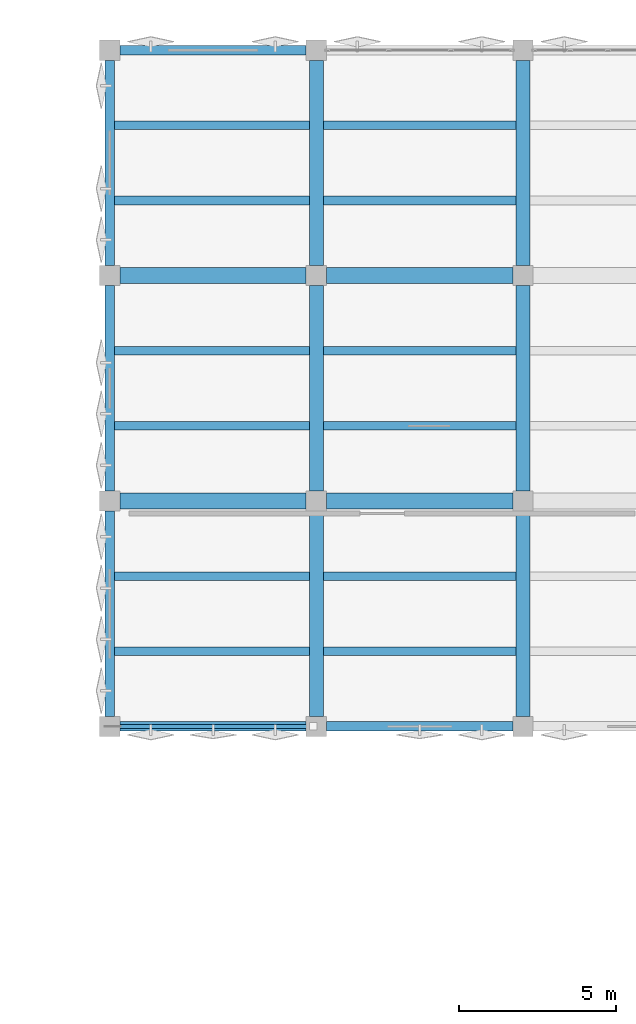
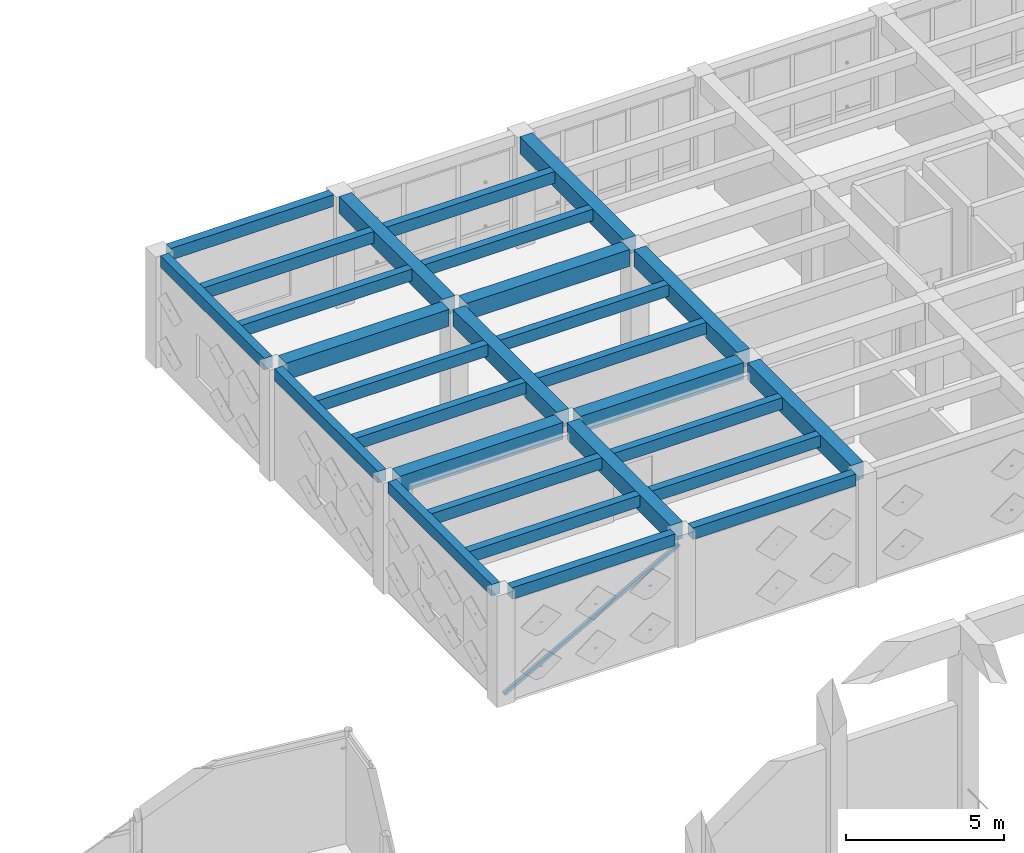
# One storey, part 32 of 67: 28 beams, 1 member.
"""IFC4 building model written with IfcOpenShell, lengths in metres."""

import ifcopenshell
import ifcopenshell.guid

model = None  # the IFC model being written
_history = None  # IfcOwnerHistory: only IFC2X3 demands one
_inside = {}  # id of a spatial element -> (the spatial element, [elements in it])
_under = {}  # id of a project, library or spatial element -> (it, [spatial elements below it])
_declared = {}  # id of a project -> (the project, [libraries it declares])
_typed = {}  # id of a type object -> (the type object, [elements of that type])
_made_of = {}  # id of a material, layer set ... -> (it, [elements and type objects made of it])


def new_model(schema):
    """Start an empty IFC model of exactly this schema.

    Asked for "IFC4X3", IfcOpenShell would pick the latest addendum, in which some entities
    have other attributes; the version numbers below select the first issue.
    IFC2X3 requires an IfcOwnerHistory on every rooted entity: one is made here for all.
    """
    global model, _history
    if schema == "IFC4X3":
        model = ifcopenshell.file(schema_version=(4, 3, 0, 0))
    else:
        model = ifcopenshell.file(schema=schema)
    _inside.clear()
    _under.clear()
    _declared.clear()
    _typed.clear()
    _made_of.clear()
    _history = None
    if model.schema == "IFC2X3":
        org = make("IfcOrganization", Name="unknown")
        user = make(
            "IfcPersonAndOrganization",
            ThePerson=make("IfcPerson", FamilyName="unknown"),
            TheOrganization=org,
        )
        app = make(
            "IfcApplication",
            ApplicationDeveloper=org,
            Version="unknown",
            ApplicationFullName="unknown",
            ApplicationIdentifier="unknown",
        )
        _history = make(
            "IfcOwnerHistory",
            OwningUser=user,
            OwningApplication=app,
            ChangeAction="ADDED",
            CreationDate=0,
        )
    return model


def make(cls, **values):
    """One entity of the class cls with the attributes given. An attribute that is None is left unset."""
    return model.create_entity(
        cls, **{name: value for name, value in values.items() if value is not None}
    )


def rooted(cls, **values):
    """An entity with a GlobalId (a new one), such as an element, a storey or a relation."""
    return make(cls, GlobalId=ifcopenshell.guid.new(), OwnerHistory=_history, **values)


def si_unit(unit_type, name, prefix=None):
    """IfcSIUnit, for example si_unit("LENGTHUNIT", "METRE", prefix="MILLI")."""
    return make("IfcSIUnit", UnitType=unit_type, Prefix=prefix, Name=name)


def assignment(units):
    """IfcUnitAssignment: the units of a project."""
    return None if units is None else make("IfcUnitAssignment", Units=units)


def point(xyz):
    """IfcCartesianPoint."""
    return None if xyz is None else make("IfcCartesianPoint", Coordinates=xyz)


def direction(xyz):
    """IfcDirection."""
    return None if xyz is None else make("IfcDirection", DirectionRatios=xyz)


def frame(location, z_axis=None, x_axis=None):
    """IfcAxis2Placement3D, a coordinate frame: its origin and axes. An axis left out is left unset."""
    return make(
        "IfcAxis2Placement3D",
        Location=point(location),
        Axis=direction(z_axis),
        RefDirection=direction(x_axis),
    )


def frame_2d(location, x_axis=None):
    """IfcAxis2Placement2D, a coordinate frame in the plane: its origin and x axis."""
    return make(
        "IfcAxis2Placement2D", Location=point(location), RefDirection=direction(x_axis)
    )


def origin():
    """The frame at (0, 0, 0) with its axes left unset."""
    return frame((0.0, 0.0, 0.0))


def origin_2d():
    """The frame at (0, 0) in the plane with its x axis left unset."""
    return frame_2d((0.0, 0.0))


def place(relative_to, where):
    """IfcLocalPlacement: puts the frame where relative to a parent placement (None: the world)."""
    return make(
        "IfcLocalPlacement", PlacementRelTo=relative_to, RelativePlacement=where
    )


def context(
    kind, dimensions, precision=None, world=None, true_north=None, identifier=None
):
    """IfcGeometricRepresentationContext, for example the 3D "Model" context."""
    return make(
        "IfcGeometricRepresentationContext",
        ContextIdentifier=identifier,
        ContextType=kind,
        CoordinateSpaceDimension=dimensions,
        Precision=precision,
        WorldCoordinateSystem=world,
        TrueNorth=true_north,
    )


def subcontext(parent, identifier, kind, view, scale=None):
    """IfcGeometricRepresentationSubContext, for example "Body" below "Model"."""
    return make(
        "IfcGeometricRepresentationSubContext",
        ContextIdentifier=identifier,
        ContextType=kind,
        ParentContext=parent,
        TargetScale=scale,
        TargetView=view,
    )


def project(units=None, contexts=None):
    """IfcProject with its units and contexts."""
    return rooted(
        "IfcProject",
        Name="project",
        RepresentationContexts=contexts,
        UnitsInContext=assignment(units),
    )


def spatial(cls, under=None, at=None, **own):
    """A site, building, storey or space (cls), placed at a placement, below another one or the project."""
    s = rooted(cls, ObjectPlacement=at, **own)
    if under is not None:
        _under.setdefault(under.id(), (under, []))[1].append(s)
    return s


def profile(cls, at=None, kind="AREA", **sizes):
    """A parametric profile (cls). Its sizes go by their IFC names, for example OverallWidth=200.0."""
    return make(cls, ProfileType=kind, Position=at, **sizes)


def rectangle(**sizes):
    """IfcRectangleProfileDef."""
    return profile("IfcRectangleProfileDef", **sizes)


def hollow_rectangle(**sizes):
    """IfcRectangleHollowProfileDef."""
    return profile("IfcRectangleHollowProfileDef", **sizes)


def extrude(swept, where, along, depth):
    """IfcExtrudedAreaSolid: the profile swept, set in the frame where, extruded along a direction by depth."""
    return make(
        "IfcExtrudedAreaSolid",
        SweptArea=swept,
        Position=where,
        ExtrudedDirection=direction(along),
        Depth=depth,
    )


def shape(context_of_items, identifier, shape_type, items):
    """IfcShapeRepresentation: the items that make up one representation, for example the "Body"."""
    return make(
        "IfcShapeRepresentation",
        ContextOfItems=context_of_items,
        RepresentationIdentifier=identifier,
        RepresentationType=shape_type,
        Items=items,
    )


def material(Name=None, Category=None):
    """IfcMaterial."""
    return make("IfcMaterial", Name=Name, Category=Category)


def material_profile(
    of_material, cross_section, Name=None, Category=None, Priority=None
):
    """IfcMaterialProfile: a cross section and its material."""
    return make(
        "IfcMaterialProfile",
        Name=Name,
        Material=of_material,
        Profile=cross_section,
        Priority=Priority,
        Category=Category,
    )


def profile_set(profiles, Name=None, composite=None):
    """IfcMaterialProfileSet."""
    return make(
        "IfcMaterialProfileSet",
        Name=Name,
        MaterialProfiles=profiles,
        CompositeProfile=composite,
    )


def made_of(thing, what):
    """Note that an element or type object is made of a material, layer set ...; save() writes the relation."""
    if what is not None:
        _made_of.setdefault(what.id(), (what, []))[1].append(thing)
    return thing


def type_object(cls, material=None, **own):
    """A type object (cls), such as IfcWallType, which elements share."""
    return made_of(rooted(cls, **own), material)


def element(
    cls,
    number,
    at=None,
    inside=None,
    cuts=None,
    type_object=None,
    material=None,
    context=None,
    identifier="Body",
    shape_type=None,
    held_by="IfcProductDefinitionShape",
    body=None,
    shapes=None,
    **own,
):
    """One element of the class cls, such as IfcWall. Its Tag is "e" and its number.

    at: its placement. inside: the storey or other place that contains it. cuts: it is an
    opening in that element (IfcRelVoidsElement). A single representation is given by context,
    identifier, shape_type and body (its items); several are given by shapes. held_by: the class
    of the entity that holds the representations. save() writes the other relations.
    """
    e = rooted(cls, Tag="e%d" % number, ObjectPlacement=at, **own)
    if body is not None:
        shapes = [shape(context, identifier, shape_type, body)]
    if shapes is not None:
        e.Representation = make(held_by, Representations=shapes)
    if inside is not None:
        _inside.setdefault(inside.id(), (inside, []))[1].append(e)
    if cuts is not None:
        rooted(
            "IfcRelVoidsElement", RelatingBuildingElement=cuts, RelatedOpeningElement=e
        )
    if type_object is not None:
        _typed.setdefault(type_object.id(), (type_object, []))[1].append(e)
    return made_of(e, material)


def aggregate(whole, parts):
    """IfcRelAggregates: a whole, such as a stair, and the parts it consists of."""
    return rooted("IfcRelAggregates", RelatingObject=whole, RelatedObjects=parts)


def save(model, path):
    """Write the relations noted so far, then the file.

    IfcRelAggregates (storeys below a building ...), IfcRelContainedInSpatialStructure (elements
    in a storey), IfcRelDefinesByType, IfcRelAssociatesMaterial and IfcRelDeclares: one each for
    every whole, place, type object, material and project.
    """
    for whole, parts in _under.values():
        aggregate(whole, parts)
    for where, things in _inside.values():
        rooted(
            "IfcRelContainedInSpatialStructure",
            RelatedElements=things,
            RelatingStructure=where,
        )
    for kind, things in _typed.values():
        rooted("IfcRelDefinesByType", RelatedObjects=things, RelatingType=kind)
    for what, things in _made_of.values():
        rooted("IfcRelAssociatesMaterial", RelatedObjects=things, RelatingMaterial=what)
    for by, libraries in _declared.values():
        rooted("IfcRelDeclares", RelatingContext=by, RelatedDefinitions=libraries)
    model.write(path)


model = new_model("IFC4")

# Units and contexts
model_context = context("Model", 3, precision=1e-05, world=origin(), true_north=direction((0.0, 1.0)))
body_context = subcontext(model_context, "Body", "Model", "MODEL_VIEW")
ifc_project = project(units=[si_unit("LENGTHUNIT", "METRE"), si_unit("AREAUNIT", "SQUARE_METRE"), si_unit("VOLUMEUNIT", "CUBIC_METRE"), si_unit("PLANEANGLEUNIT", "RADIAN"), si_unit("MASSUNIT", "GRAM", prefix="KILO")], contexts=[model_context])

# Site, building, storey
site_placement = place(None, origin())
site = spatial("IfcSite", under=ifc_project, at=site_placement, CompositionType="ELEMENT")
building_placement = place(site_placement, origin())
building = spatial("IfcBuilding", under=site, at=building_placement, Name="Kharisveld Research Institute", CompositionType="ELEMENT")
storey_placement = place(building_placement, frame((0.0, 0.0, 9.60009765625)))
storey = spatial("IfcBuildingStorey", under=building, at=storey_placement, Name="L02", CompositionType="ELEMENT", Elevation=9.60009765625)

# Beams
ifc_material_1 = material(Name="Concrete C40/50", Category="concrete")
ifc_material_profile_1 = material_profile(ifc_material_1, rectangle(XDim=0.449951171875, YDim=0.64990234375, at=origin_2d()))
ifc_profile_set_1 = profile_set([ifc_material_profile_1], Name="Concrete C40/50")
beam_type_1 = type_object("IfcBeamType", Name="BM_RC_450x650", PredefinedType="BEAM", material=ifc_profile_set_1)
beam_1_placement = place(storey_placement, frame((121.199951171875, 39.52490234375, 3.974853515625), z_axis=(0.0, 1.0, 0.0), x_axis=(-1.0, 0.0, 0.0)))
element("IfcBeam", 1, at=beam_1_placement, inside=storey, type_object=beam_type_1, Name="BM:V2:L02:V1_0", PredefinedType="BEAM", context=body_context, shape_type="SweptSolid", body=[
    extrude(rectangle(XDim=0.449951171875, YDim=0.64990234375, at=origin_2d()), origin(), (0.0, 0.0, 1.0), 6.550048828125),
])
beam_2_placement = place(storey_placement, frame((121.199951171875, 46.72509765625, 3.974853515625), z_axis=(0.0, 1.0, 0.0), x_axis=(-1.0, 0.0, 0.0)))
element("IfcBeam", 2, at=beam_2_placement, inside=storey, type_object=beam_type_1, Name="BM:V2:L02:V1_1", PredefinedType="BEAM", context=body_context, shape_type="SweptSolid", body=[
    extrude(rectangle(XDim=0.449951171875, YDim=0.64990234375, at=origin_2d()), origin(), (0.0, 0.0, 1.0), 6.5498046875),
])
for number, where, z_axis, x_axis, name in (
    (3, (121.199951171875, 53.925048828125, 3.974853515625), (0.0, 1.0, 0.0), (-1.0, 0.0, 0.0), "BM:V2:L02:V1_2"),
    (4, (127.800048828125, 39.52490234375, 3.974853515625), (0.0, 1.0, 0.0), (-1.0, 0.0, 0.0), "BM:V2:L02:V2_0"),
):
    element("IfcBeam", number, at=place(storey_placement, frame(where, z_axis=z_axis, x_axis=x_axis)), inside=storey, type_object=beam_type_1, Name=name, PredefinedType="BEAM", context=body_context, shape_type="SweptSolid", body=[
        extrude(rectangle(XDim=0.449951171875, YDim=0.64990234375, at=origin_2d()), origin(), (0.0, 0.0, 1.0), 6.550048828125),
    ])
beam_3_placement = place(storey_placement, frame((127.800048828125, 46.72509765625, 3.974853515625), z_axis=(0.0, 1.0, 0.0), x_axis=(-1.0, 0.0, 0.0)))
element("IfcBeam", 5, at=beam_3_placement, inside=storey, type_object=beam_type_1, Name="BM:V2:L02:V2_1", PredefinedType="BEAM", context=body_context, shape_type="SweptSolid", body=[
    extrude(rectangle(XDim=0.449951171875, YDim=0.64990234375, at=origin_2d()), origin(), (0.0, 0.0, 1.0), 6.5498046875),
])
beam_4_placement = place(storey_placement, frame((127.800048828125, 53.925048828125, 3.974853515625), z_axis=(0.0, 1.0, 0.0), x_axis=(-1.0, 0.0, 0.0)))
element("IfcBeam", 6, at=beam_4_placement, inside=storey, type_object=beam_type_1, Name="BM:V2:L02:V2_2", PredefinedType="BEAM", context=body_context, shape_type="SweptSolid", body=[
    extrude(rectangle(XDim=0.449951171875, YDim=0.64990234375, at=origin_2d()), origin(), (0.0, 0.0, 1.0), 6.550048828125),
])
ifc_material_2 = material(Name="Concrete C40/50", Category="concrete")
ifc_material_profile_2 = material_profile(ifc_material_2, rectangle(XDim=0.5, YDim=0.64990234375, at=origin_2d()))
ifc_profile_set_2 = profile_set([ifc_material_profile_2], Name="Concrete C40/50")
beam_type_2 = type_object("IfcBeamType", Name="BM_RC_500x650", PredefinedType="BEAM", material=ifc_profile_set_2)
beam_5_placement = place(storey_placement, frame((114.925048828125, 46.39990234375, 3.974853515625), z_axis=(1.0, 0.0, 0.0), x_axis=(0.0, 1.0, 0.0)))
element("IfcBeam", 7, at=beam_5_placement, inside=storey, type_object=beam_type_2, Name="BM:V2:L02:U0_1", PredefinedType="BEAM", context=body_context, shape_type="SweptSolid", body=[
    extrude(rectangle(XDim=0.5, YDim=0.64990234375, at=origin_2d()), origin(), (0.0, 0.0, 1.0), 5.949951171875),
])
beam_6_placement = place(storey_placement, frame((121.52490234375, 46.39990234375, 3.974853515625), z_axis=(1.0, 0.0, 0.0), x_axis=(0.0, 1.0, 0.0)))
element("IfcBeam", 8, at=beam_6_placement, inside=storey, type_object=beam_type_2, Name="BM:V2:L02:U1_1", PredefinedType="BEAM", context=body_context, shape_type="SweptSolid", body=[
    extrude(rectangle(XDim=0.5, YDim=0.64990234375, at=origin_2d()), origin(), (0.0, 0.0, 1.0), 5.9501953125),
])
beam_7_placement = place(storey_placement, frame((114.925048828125, 53.60009765625, 3.974853515625), z_axis=(1.0, 0.0, 0.0), x_axis=(0.0, 1.0, 0.0)))
element("IfcBeam", 9, at=beam_7_placement, inside=storey, type_object=beam_type_2, Name="BM:V2:L02:U0_2", PredefinedType="BEAM", context=body_context, shape_type="SweptSolid", body=[
    extrude(rectangle(XDim=0.5, YDim=0.64990234375, at=origin_2d()), origin(), (0.0, 0.0, 1.0), 5.949951171875),
])
beam_8_placement = place(storey_placement, frame((121.52490234375, 53.60009765625, 3.974853515625), z_axis=(1.0, 0.0, 0.0), x_axis=(0.0, 1.0, 0.0)))
element("IfcBeam", 10, at=beam_8_placement, inside=storey, type_object=beam_type_2, Name="BM:V2:L02:U1_2", PredefinedType="BEAM", context=body_context, shape_type="SweptSolid", body=[
    extrude(rectangle(XDim=0.5, YDim=0.64990234375, at=origin_2d()), origin(), (0.0, 0.0, 1.0), 5.9501953125),
])

# Member
ifc_material_3 = material(Name="Steel S355J2H", Category="steel")
ifc_material_profile_3 = material_profile(ifc_material_3, hollow_rectangle(XDim=0.1201171875, YDim=0.1201171875, WallThickness=0.00634765625, at=origin_2d()))
ifc_profile_set_3 = profile_set([ifc_material_profile_3], Name="Steel S355J2H")
member_type = type_object("IfcMemberType", Name="BR_SHS120", PredefinedType="BRACE", material=ifc_profile_set_3)
member_placement = place(storey_placement, frame((114.699951171875, 39.199951171875, 0.199951171875), z_axis=(0.874481220931, 0.0, 0.48505937187), x_axis=(0.0, 1.0, 0.0)))
element("IfcMember", 11, at=member_placement, inside=storey, type_object=member_type, Name="MEM:V2:L02:BR_0_0", PredefinedType="BRACE", context=body_context, shape_type="SweptSolid", body=[
    extrude(hollow_rectangle(XDim=0.1201171875, YDim=0.1201171875, WallThickness=0.00634765625, at=origin_2d()), origin(), (0.0, 0.0, 1.0), 7.31884765625),
])

# Beams
ifc_material_4 = material(Name="Concrete C40/50", Category="concrete")
ifc_material_profile_4 = material_profile(ifc_material_4, rectangle(XDim=0.300048828125, YDim=0.449951171875, at=origin_2d()))
ifc_profile_set_4 = profile_set([ifc_material_profile_4], Name="Concrete C40/50")
beam_type_3 = type_object("IfcBeamType", Name="SP_RC_300x450", PredefinedType="SPANDREL", material=ifc_profile_set_4)
beam_9_placement = place(storey_placement, frame((114.925048828125, 39.199951171875, 4.074951171875), z_axis=(1.0, 0.0, 0.0), x_axis=(0.0, 1.0, 0.0)))
element("IfcBeam", 12, at=beam_9_placement, inside=storey, type_object=beam_type_3, Name="BM:V2:L02:U0_0", PredefinedType="SPANDREL", context=body_context, shape_type="SweptSolid", body=[
    extrude(rectangle(XDim=0.300048828125, YDim=0.449951171875, at=origin_2d()), origin(), (0.0, 0.0, 1.0), 5.949951171875),
])
beam_10_placement = place(storey_placement, frame((121.52490234375, 39.199951171875, 4.074951171875), z_axis=(1.0, 0.0, 0.0), x_axis=(0.0, 1.0, 0.0)))
element("IfcBeam", 13, at=beam_10_placement, inside=storey, type_object=beam_type_3, Name="BM:V2:L02:U1_0", PredefinedType="SPANDREL", context=body_context, shape_type="SweptSolid", body=[
    extrude(rectangle(XDim=0.300048828125, YDim=0.449951171875, at=origin_2d()), origin(), (0.0, 0.0, 1.0), 5.9501953125),
])
beam_11_placement = place(storey_placement, frame((114.925048828125, 60.800048828125, 4.074951171875), z_axis=(1.0, 0.0, 0.0), x_axis=(0.0, 1.0, 0.0)))
element("IfcBeam", 14, at=beam_11_placement, inside=storey, type_object=beam_type_3, Name="BM:V2:L02:U0_3", PredefinedType="SPANDREL", context=body_context, shape_type="SweptSolid", body=[
    extrude(rectangle(XDim=0.300048828125, YDim=0.449951171875, at=origin_2d()), origin(), (0.0, 0.0, 1.0), 5.949951171875),
])
beam_12_placement = place(storey_placement, frame((114.60009765625, 39.52490234375, 4.074951171875), z_axis=(0.0, 1.0, 0.0), x_axis=(-1.0, 0.0, 0.0)))
element("IfcBeam", 15, at=beam_12_placement, inside=storey, type_object=beam_type_3, Name="BM:V2:L02:V0_0", PredefinedType="SPANDREL", context=body_context, shape_type="SweptSolid", body=[
    extrude(rectangle(XDim=0.300048828125, YDim=0.449951171875, at=origin_2d()), origin(), (0.0, 0.0, 1.0), 6.550048828125),
])
beam_13_placement = place(storey_placement, frame((114.60009765625, 46.72509765625, 4.074951171875), z_axis=(0.0, 1.0, 0.0), x_axis=(-1.0, 0.0, 0.0)))
element("IfcBeam", 16, at=beam_13_placement, inside=storey, type_object=beam_type_3, Name="BM:V2:L02:V0_1", PredefinedType="SPANDREL", context=body_context, shape_type="SweptSolid", body=[
    extrude(rectangle(XDim=0.300048828125, YDim=0.449951171875, at=origin_2d()), origin(), (0.0, 0.0, 1.0), 6.5498046875),
])
beam_14_placement = place(storey_placement, frame((114.60009765625, 53.925048828125, 4.074951171875), z_axis=(0.0, 1.0, 0.0), x_axis=(-1.0, 0.0, 0.0)))
element("IfcBeam", 17, at=beam_14_placement, inside=storey, type_object=beam_type_3, Name="BM:V2:L02:V0_2", PredefinedType="SPANDREL", context=body_context, shape_type="SweptSolid", body=[
    extrude(rectangle(XDim=0.300048828125, YDim=0.449951171875, at=origin_2d()), origin(), (0.0, 0.0, 1.0), 6.550048828125),
])
ifc_material_5 = material(Name="Concrete C40/50", Category="concrete")
ifc_material_profile_5 = material_profile(ifc_material_5, rectangle(XDim=0.280029296875, YDim=0.449951171875, at=origin_2d()))
ifc_profile_set_5 = profile_set([ifc_material_profile_5], Name="Concrete C40/50")
beam_type_4 = type_object("IfcBeamType", Name="WB_RC_280x450", PredefinedType="JOIST", material=ifc_profile_set_5)
for number, where, z_axis, x_axis, name in (
    (18, (114.75, 41.60009765625, 4.074951171875), (1.0, 0.0, 0.0), (0.0, 1.0, 0.0), "BM:V2:L02:J_0_0_R1"),
    (19, (114.75, 44.0, 4.074951171875), (1.0, 0.0, 0.0), (0.0, 1.0, 0.0), "BM:V2:L02:J_0_0_R2"),
    (20, (114.75, 48.800048828125, 4.074951171875), (1.0, 0.0, 0.0), (0.0, 1.0, 0.0), "BM:V2:L02:J_0_1_R1"),
    (21, (114.75, 51.199951171875, 4.074951171875), (1.0, 0.0, 0.0), (0.0, 1.0, 0.0), "BM:V2:L02:J_0_1_R2"),
    (22, (114.75, 56.0, 4.074951171875), (1.0, 0.0, 0.0), (0.0, 1.0, 0.0), "BM:V2:L02:J_0_2_R1"),
    (23, (114.75, 58.39990234375, 4.074951171875), (1.0, 0.0, 0.0), (0.0, 1.0, 0.0), "BM:V2:L02:J_0_2_R2"),
):
    element("IfcBeam", number, at=place(storey_placement, frame(where, z_axis=z_axis, x_axis=x_axis)), inside=storey, type_object=beam_type_4, Name=name, PredefinedType="JOIST", context=body_context, shape_type="SweptSolid", body=[
        extrude(rectangle(XDim=0.280029296875, YDim=0.449951171875, at=origin_2d()), origin(), (0.0, 0.0, 1.0), 6.22509765625),
    ])
for number, where, z_axis, x_axis, name in (
    (24, (121.425048828125, 41.60009765625, 4.074951171875), (1.0, 0.0, 0.0), (0.0, 1.0, 0.0), "BM:V2:L02:J_1_0_R1"),
    (25, (121.425048828125, 44.0, 4.074951171875), (1.0, 0.0, 0.0), (0.0, 1.0, 0.0), "BM:V2:L02:J_1_0_R2"),
    (26, (121.425048828125, 48.800048828125, 4.074951171875), (1.0, 0.0, 0.0), (0.0, 1.0, 0.0), "BM:V2:L02:J_1_1_R1"),
    (27, (121.425048828125, 51.199951171875, 4.074951171875), (1.0, 0.0, 0.0), (0.0, 1.0, 0.0), "BM:V2:L02:J_1_1_R2"),
    (28, (121.425048828125, 56.0, 4.074951171875), (1.0, 0.0, 0.0), (0.0, 1.0, 0.0), "BM:V2:L02:J_1_2_R1"),
    (29, (121.425048828125, 58.39990234375, 4.074951171875), (1.0, 0.0, 0.0), (0.0, 1.0, 0.0), "BM:V2:L02:J_1_2_R2"),
):
    element("IfcBeam", number, at=place(storey_placement, frame(where, z_axis=z_axis, x_axis=x_axis)), inside=storey, type_object=beam_type_4, Name=name, PredefinedType="JOIST", context=body_context, shape_type="SweptSolid", body=[
        extrude(rectangle(XDim=0.280029296875, YDim=0.449951171875, at=origin_2d()), origin(), (0.0, 0.0, 1.0), 6.14990234375),
    ])

save(model, "model.ifc")
